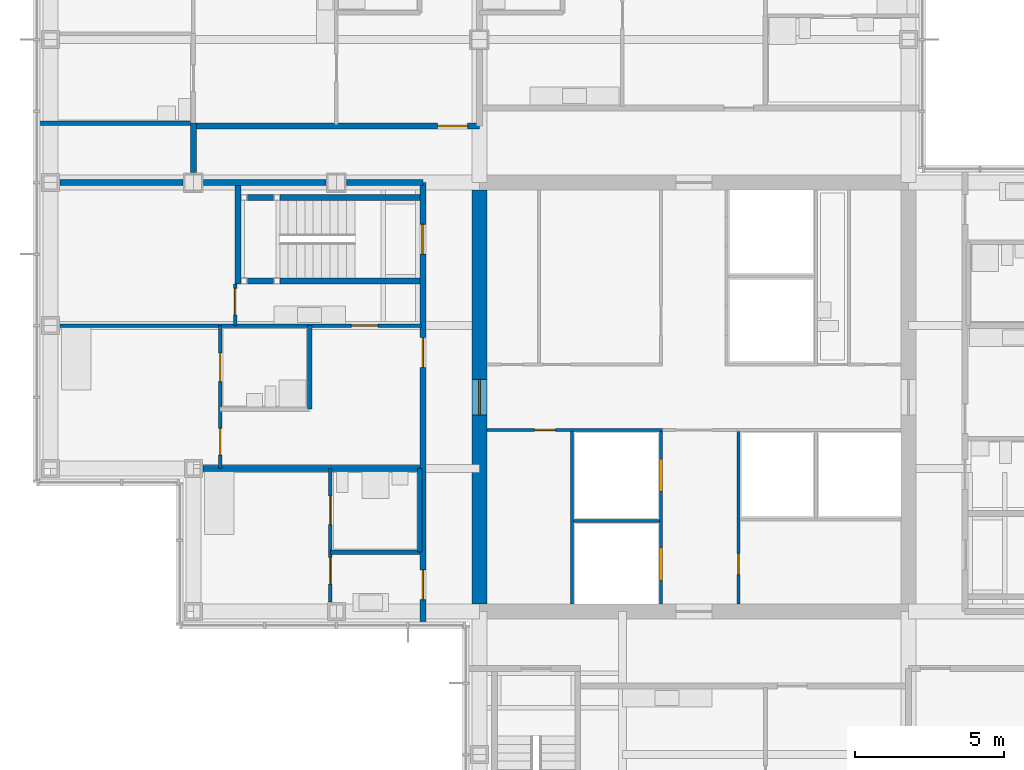
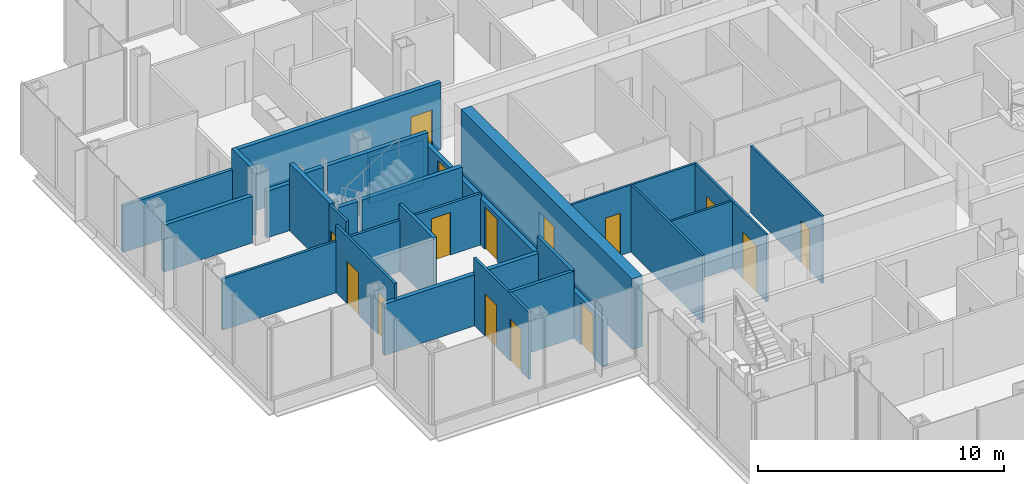
# One storey, part 14 of 20: 27 walls, 15 doors, 15 openings.
"""IFC4 building model written with IfcOpenShell, lengths in metres."""

from ifc_helpers import new_model, si_unit, direction, frame, frame_2d, origin, place, context, subcontext, project, spatial, rectangle, extrude, material, layer, layer_set, type_object, element, fill, save


model = new_model("IFC4")

# Units and contexts
model_context = context("Model", 3, precision=1e-05, world=origin(), true_north=direction((0.0, 1.0)))
body_context = subcontext(model_context, "Body", "Model", "MODEL_VIEW")
ifc_project = project(units=[si_unit("LENGTHUNIT", "METRE"), si_unit("AREAUNIT", "SQUARE_METRE"), si_unit("VOLUMEUNIT", "CUBIC_METRE"), si_unit("PLANEANGLEUNIT", "RADIAN"), si_unit("MASSUNIT", "GRAM", prefix="KILO")], contexts=[model_context])

# Site, building, storey
site_placement = place(None, origin())
site = spatial("IfcSite", under=ifc_project, at=site_placement, CompositionType="ELEMENT")
building_placement = place(site_placement, origin())
building = spatial("IfcBuilding", under=site, at=building_placement, Name="Kvirike Care Tower", CompositionType="ELEMENT")
storey_placement = place(building_placement, frame((0.0, 0.0, 126.0)))
storey = spatial("IfcBuildingStorey", under=building, at=storey_placement, Name="L34", CompositionType="ELEMENT", Elevation=126.0)

# Walls
ifc_material_1 = material(Name="Moisture-resistant board partition", Category="gypsum")
ifc_layer_1 = layer(ifc_material_1, 0.14990234375)
ifc_layer_set_1 = layer_set([ifc_layer_1], Name="BATHROOM WALL 150")
wall_type_1 = type_object("IfcWallType", Name="BATHROOM WALL 150", PredefinedType="PARTITIONING", material=ifc_layer_set_1)
wall_1_placement = place(storey_placement, frame((8.699951171875, 38.39990234375, 0.0), z_axis=(0.0, 0.0, 1.0), x_axis=(0.0, -1.0, 0.0)))
element("IfcWall", 1, at=wall_1_placement, inside=storey, type_object=wall_type_1, Name="Bathroom Wall 150 L34", PredefinedType="PARTITIONING", context=body_context, shape_type="SweptSolid", body=[
    extrude(rectangle(XDim=2.7998046875, YDim=0.14990234375, at=frame_2d((1.39990234375, 0.0))), origin(), (0.0, 0.0, 1.0), 3.330078125),
])
wall_2_placement = place(storey_placement, frame((9.39990234375, 30.800048828125, 0.0), z_axis=(0.0, 0.0, 1.0), x_axis=(1.0, 0.0, 0.0)))
element("IfcWall", 2, at=wall_2_placement, inside=storey, type_object=wall_type_1, Name="Bathroom Wall 150 L34", PredefinedType="PARTITIONING", context=body_context, shape_type="SweptSolid", body=[
    extrude(rectangle(XDim=3.0, YDim=0.14990234375, at=frame_2d((1.5, 0.0))), origin(), (0.0, 0.0, 1.0), 3.330078125),
])
wall_3_placement = place(storey_placement, frame((12.39990234375, 33.60009765625, 0.0), z_axis=(0.0, 0.0, 1.0), x_axis=(0.0, -1.0, 0.0)))
element("IfcWall", 3, at=wall_3_placement, inside=storey, type_object=wall_type_1, Name="Bathroom Wall 150 L34", PredefinedType="PARTITIONING", context=body_context, shape_type="SweptSolid", body=[
    extrude(rectangle(XDim=2.800048828125, YDim=0.14990234375, at=frame_2d((1.39990234375, 0.0))), origin(), (0.0, 0.0, 1.0), 3.330078125),
])
wall_4_placement = place(storey_placement, frame((4.699951171875, 45.199951171875, 0.0), z_axis=(0.0, 0.0, 1.0), x_axis=(-1.0, 0.0, 0.0)))
element("IfcWall", 4, at=wall_4_placement, inside=storey, type_object=wall_type_1, Name="Bathroom Wall 150 L34", PredefinedType="PARTITIONING", context=body_context, shape_type="SweptSolid", body=[
    extrude(rectangle(XDim=5.139892578125, YDim=0.14990234375, at=frame_2d((2.56982421875, 0.0))), origin(), (0.0, 0.0, 1.0), 2.320068359375),
])

# Wall, opening, door
ifc_material_2 = material(Name="Concrete C50/60", Category="concrete")
ifc_layer_2 = layer(ifc_material_2, 0.5)
ifc_layer_set_2 = layer_set([ifc_layer_2], Name="CORE WALL 500 C50-60")
wall_type_2 = type_object("IfcWallType", Name="CORE WALL 500 C50-60", PredefinedType="SHEAR", material=ifc_layer_set_2)
wall_5_placement = place(storey_placement, frame((14.39990234375, 42.949951171875, -0.169921875), z_axis=(0.0, 0.0, 1.0), x_axis=(0.0, -1.0, 0.0)))
wall_5 = element("IfcWall", 5, at=wall_5_placement, inside=storey, type_object=wall_type_2, Name="Core wall W L34", PredefinedType="SHEAR", context=body_context, shape_type="SweptSolid", body=[
    extrude(rectangle(XDim=13.89990234375, YDim=0.5, at=frame_2d((6.949951171875, 0.0))), origin(), (0.0, 0.0, 1.0), 3.5),
])
opening_1_placement = place(wall_5_placement, frame((6.35009765625, 0.0, 0.169921875)))
opening_1 = element("IfcOpeningElement", 6, at=opening_1_placement, cuts=wall_5, Name="Opening 34-057", PredefinedType="OPENING", context=body_context, shape_type="SweptSolid", body=[
    extrude(rectangle(XDim=1.199951171875, YDim=2.10009765625, at=frame_2d((0.60009765625, 1.050048828125))), frame((0.0, 0.260498046875, 0.0), z_axis=(0.0, -1.0, 0.0), x_axis=(1.0, 0.0, 0.0)), (0.0, 0.0, 1.0), 0.52099609375),
])
ifc_material_3 = material(Name="Timber door set", Category="wood")
door_type_1 = type_object("IfcDoorType", Name="CORE DOOR 1200", OperationType="SINGLE_SWING_LEFT", PredefinedType="DOOR", material=ifc_material_3)
door_1_placement = place(opening_1_placement, origin())
door_1 = element("IfcDoor", 7, at=door_1_placement, inside=storey, type_object=door_type_1, Name="Core door W L34", OperationType="SINGLE_SWING_LEFT", OverallHeight=2.10009765625, OverallWidth=1.199951171875, PredefinedType="DOOR", context=body_context, shape_type="SweptSolid", body=[
    extrude(rectangle(XDim=1.199951171875, YDim=2.10009765625, at=frame_2d((0.60009765625, 1.050048828125))), frame((0.0, 0.02685546875, 0.0), z_axis=(0.0, -1.0, 0.0), x_axis=(1.0, 0.0, 0.0)), (0.0, 0.0, 1.0), 0.053955078125),
])
fill(opening_1, door_1)

# Wall, openings, doors
ifc_material_4 = material(Name="Plasterboard corridor wall", Category="gypsum")
ifc_layer_3 = layer(ifc_material_4, 0.199951171875)
ifc_layer_set_3 = layer_set([ifc_layer_3], Name="CORRIDOR WALL 200")
wall_type_3 = type_object("IfcWallType", Name="CORRIDOR WALL 200", PredefinedType="PARTITIONING", material=ifc_layer_set_3)
wall_6_placement = place(storey_placement, frame((12.5, 43.199951171875, 0.0), z_axis=(0.0, 0.0, 1.0), x_axis=(0.0, -1.0, 0.0)))
wall_6 = element("IfcWall", 8, at=wall_6_placement, inside=storey, type_object=wall_type_3, Name="Corridor Wall 200 L34", PredefinedType="PARTITIONING", context=body_context, shape_type="SweptSolid", body=[
    extrude(rectangle(XDim=14.83984375, YDim=0.199951171875, at=frame_2d((7.419921875, 0.0))), origin(), (0.0, 0.0, 1.0), 2.320068359375),
])
opening_2_placement = place(wall_6_placement, frame((1.39990234375, 0.0, 0.0)))
opening_2 = element("IfcOpeningElement", 9, at=opening_2_placement, cuts=wall_6, Name="Opening 34-007", PredefinedType="OPENING", context=body_context, shape_type="SweptSolid", body=[
    extrude(rectangle(XDim=1.0, YDim=2.10009765625, at=frame_2d((0.5, 1.050048828125))), frame((0.0, 0.110595703125, 0.0), z_axis=(0.0, -1.0, 0.0), x_axis=(1.0, 0.0, 0.0)), (0.0, 0.0, 1.0), 0.220947265625),
])
opening_3_placement = place(wall_6_placement, frame((5.199951171875, 0.0, 0.0)))
opening_3 = element("IfcOpeningElement", 10, at=opening_3_placement, cuts=wall_6, Name="Opening 34-008", PredefinedType="OPENING", context=body_context, shape_type="SweptSolid", body=[
    extrude(rectangle(XDim=1.0, YDim=2.10009765625, at=frame_2d((0.5, 1.050048828125))), frame((0.0, 0.110595703125, 0.0), z_axis=(0.0, -1.0, 0.0), x_axis=(1.0, 0.0, 0.0)), (0.0, 0.0, 1.0), 0.220947265625),
])
opening_4_placement = place(wall_6_placement, frame((13.0, 0.0, 0.0)))
opening_4 = element("IfcOpeningElement", 11, at=opening_4_placement, cuts=wall_6, Name="Opening 34-009", PredefinedType="OPENING", context=body_context, shape_type="SweptSolid", body=[
    extrude(rectangle(XDim=1.0, YDim=2.10009765625, at=frame_2d((0.5, 1.050048828125))), frame((0.0, 0.110595703125, 0.0), z_axis=(0.0, -1.0, 0.0), x_axis=(1.0, 0.0, 0.0)), (0.0, 0.0, 1.0), 0.220947265625),
])
ifc_material_5 = material(Name="Timber door set", Category="wood")
door_type_2 = type_object("IfcDoorType", Name="FLAT ENTRANCE DOOR 1000", OperationType="SINGLE_SWING_LEFT", PredefinedType="DOOR", material=ifc_material_5)
door_2_placement = place(opening_3_placement, frame((1.0, 0.0, 0.0), z_axis=(0.0, 0.0, 1.0), x_axis=(-1.0, 0.0, 0.0)))
door_2 = element("IfcDoor", 12, at=door_2_placement, inside=storey, type_object=door_type_2, Name="Assisted living suite entrance", OperationType="SINGLE_SWING_LEFT", OverallHeight=2.10009765625, OverallWidth=1.0, PredefinedType="DOOR", context=body_context, shape_type="SweptSolid", body=[
    extrude(rectangle(XDim=1.0, YDim=2.10009765625, at=frame_2d((0.5, 1.050048828125))), frame((0.0, 0.02685546875, 0.0), z_axis=(0.0, -1.0, 0.0), x_axis=(1.0, 0.0, 0.0)), (0.0, 0.0, 1.0), 0.053955078125),
])
fill(opening_3, door_2)
door_3_placement = place(opening_4_placement, frame((1.0, 0.0, 0.0), z_axis=(0.0, 0.0, 1.0), x_axis=(-1.0, 0.0, 0.0)))
door_3 = element("IfcDoor", 13, at=door_3_placement, inside=storey, type_object=door_type_2, Name="Assisted living suite entrance", OperationType="SINGLE_SWING_RIGHT", OverallHeight=2.10009765625, OverallWidth=1.0, PredefinedType="DOOR", context=body_context, shape_type="SweptSolid", body=[
    extrude(rectangle(XDim=1.0, YDim=2.10009765625, at=frame_2d((0.5, 1.050048828125))), frame((0.0, 0.02685546875, 0.0), z_axis=(0.0, -1.0, 0.0), x_axis=(1.0, 0.0, 0.0)), (0.0, 0.0, 1.0), 0.053955078125),
])
fill(opening_4, door_3)
ifc_material_6 = material(Name="Timber door set", Category="wood")
door_type_3 = type_object("IfcDoorType", Name="STAIR DOOR 1000", OperationType="SINGLE_SWING_LEFT", PredefinedType="DOOR", material=ifc_material_6)
door_4_placement = place(opening_2_placement, frame((1.0, 0.0, 0.0), z_axis=(0.0, 0.0, 1.0), x_axis=(-1.0, 0.0, 0.0)))
door_4 = element("IfcDoor", 14, at=door_4_placement, inside=storey, type_object=door_type_3, Name="Stair 1 door", OperationType="SINGLE_SWING_LEFT", OverallHeight=2.10009765625, OverallWidth=1.0, PredefinedType="DOOR", context=body_context, shape_type="SweptSolid", body=[
    extrude(rectangle(XDim=1.0, YDim=2.10009765625, at=frame_2d((0.5, 1.050048828125))), frame((0.0, 0.031982421875, 0.0), z_axis=(0.0, -1.0, 0.0), x_axis=(1.0, 0.0, 0.0)), (0.0, 0.0, 1.0), 0.06396484375),
])
fill(opening_2, door_4)

# Wall, opening, door
wall_7_placement = place(storey_placement, frame((14.39990234375, 45.10009765625, 0.0), z_axis=(0.0, 0.0, 1.0), x_axis=(-1.0, 0.0, 0.0)))
wall_7 = element("IfcWall", 15, at=wall_7_placement, inside=storey, type_object=wall_type_3, Name="Corridor Wall 200 L34", PredefinedType="PARTITIONING", context=body_context, shape_type="SweptSolid", body=[
    extrude(rectangle(XDim=9.599853515625, YDim=0.199951171875, at=frame_2d((4.7998046875, 0.0))), origin(), (0.0, 0.0, 1.0), 3.330078125),
])
opening_5_placement = place(wall_7_placement, frame((0.39990234375, 0.0, 0.0)))
opening_5 = element("IfcOpeningElement", 16, at=opening_5_placement, cuts=wall_7, Name="Opening 34-015", PredefinedType="OPENING", context=body_context, shape_type="SweptSolid", body=[
    extrude(rectangle(XDim=1.0, YDim=2.10009765625, at=frame_2d((0.5, 1.050048828125))), frame((0.0, 0.110595703125, 0.0), z_axis=(0.0, -1.0, 0.0), x_axis=(1.0, 0.0, 0.0)), (0.0, 0.0, 1.0), 0.220947265625),
])
door_5_placement = place(opening_5_placement, frame((1.0, 0.0, 0.0), z_axis=(0.0, 0.0, 1.0), x_axis=(-1.0, 0.0, 0.0)))
door_5 = element("IfcDoor", 17, at=door_5_placement, inside=storey, type_object=door_type_2, Name="Assisted living suite for couples entrance", OperationType="SINGLE_SWING_LEFT", OverallHeight=2.10009765625, OverallWidth=1.0, PredefinedType="DOOR", context=body_context, shape_type="SweptSolid", body=[
    extrude(rectangle(XDim=1.0, YDim=2.10009765625, at=frame_2d((0.5, 1.050048828125))), frame((0.0, 0.02685546875, 0.0), z_axis=(0.0, -1.0, 0.0), x_axis=(1.0, 0.0, 0.0)), (0.0, 0.0, 1.0), 0.053955078125),
])
fill(opening_5, door_5)

# Wall
wall_8_placement = place(storey_placement, frame((4.800048828125, 45.199951171875, 0.0), z_axis=(0.0, 0.0, 1.0), x_axis=(0.0, -1.0, 0.0)))
element("IfcWall", 18, at=wall_8_placement, inside=storey, type_object=wall_type_3, Name="Corridor Wall 200 L34", PredefinedType="PARTITIONING", context=body_context, shape_type="SweptSolid", body=[
    extrude(rectangle(XDim=1.655029296875, YDim=0.199951171875, at=frame_2d((0.82763671875, 0.0))), origin(), (0.0, 0.0, 1.0), 3.330078125),
])

# Wall, opening, door
ifc_material_7 = material(Name="Plasterboard partition", Category="gypsum")
ifc_layer_4 = layer(ifc_material_7, 0.1201171875)
ifc_layer_set_4 = layer_set([ifc_layer_4], Name="PARTITION 120")
wall_type_4 = type_object("IfcWallType", Name="PARTITION 120", PredefinedType="PARTITIONING", material=ifc_layer_set_4)
wall_9_placement = place(storey_placement, frame((6.199951171875, 38.39990234375, 0.0), z_axis=(0.0, 0.0, 1.0), x_axis=(1.0, 0.0, 0.0)))
wall_9 = element("IfcWall", 19, at=wall_9_placement, inside=storey, type_object=wall_type_4, Name="Partition 120 L34", PredefinedType="PARTITIONING", context=body_context, shape_type="SweptSolid", body=[
    extrude(rectangle(XDim=6.25, YDim=0.1201171875, at=frame_2d((3.125, 0.0))), origin(), (0.0, 0.0, 1.0), 2.550048828125),
])
opening_6_placement = place(wall_9_placement, frame((3.89990234375, 0.0, 0.0)))
opening_6 = element("IfcOpeningElement", 20, at=opening_6_placement, cuts=wall_9, Name="Opening 34-001", PredefinedType="OPENING", context=body_context, shape_type="SweptSolid", body=[
    extrude(rectangle(XDim=0.89990234375, YDim=2.10009765625, at=frame_2d((0.449951171875, 1.050048828125))), frame((0.0, 0.070556640625, 0.0), z_axis=(0.0, -1.0, 0.0), x_axis=(1.0, 0.0, 0.0)), (0.0, 0.0, 1.0), 0.14111328125),
])
ifc_material_8 = material(Name="Timber door set", Category="wood")
door_type_4 = type_object("IfcDoorType", Name="INTERNAL DOOR 900", OperationType="SINGLE_SWING_LEFT", PredefinedType="DOOR", material=ifc_material_8)
door_6_placement = place(opening_6_placement, origin())
door_6 = element("IfcDoor", 21, at=door_6_placement, inside=storey, type_object=door_type_4, Name="Hall door", OperationType="SINGLE_SWING_LEFT", OverallHeight=2.10009765625, OverallWidth=0.89990234375, PredefinedType="DOOR", context=body_context, shape_type="SweptSolid", body=[
    extrude(rectangle(XDim=0.89990234375, YDim=2.10009765625, at=frame_2d((0.449951171875, 1.050048828125))), frame((0.0, 0.02197265625, 0.0), z_axis=(0.0, -1.0, 0.0), x_axis=(1.0, 0.0, 0.0)), (0.0, 0.0, 1.0), 0.0439453125),
])
fill(opening_6, door_6)

wall_10_placement = place(storey_placement, frame((6.199951171875, 39.800048828125, 0.0), z_axis=(0.0, 0.0, 1.0), x_axis=(0.0, -1.0, 0.0)))
wall_10 = element("IfcWall", 22, at=wall_10_placement, inside=storey, type_object=wall_type_4, Name="Partition 120 L34", PredefinedType="PARTITIONING", context=body_context, shape_type="SweptSolid", body=[
    extrude(rectangle(XDim=1.400146484375, YDim=0.1201171875, at=frame_2d((0.7001953125, 0.0))), origin(), (0.0, 0.0, 1.0), 3.330078125),
])
opening_7_placement = place(wall_10_placement, frame((0.14990234375, 0.0, 0.0)))
opening_7 = element("IfcOpeningElement", 23, at=opening_7_placement, cuts=wall_10, Name="Opening 34-002", PredefinedType="OPENING", context=body_context, shape_type="SweptSolid", body=[
    extrude(rectangle(XDim=0.89990234375, YDim=2.10009765625, at=frame_2d((0.449951171875, 1.050048828125))), frame((0.0, 0.070556640625, 0.0), z_axis=(0.0, -1.0, 0.0), x_axis=(1.0, 0.0, 0.0)), (0.0, 0.0, 1.0), 0.14111328125),
])
door_7_placement = place(opening_7_placement, origin())
door_7 = element("IfcDoor", 24, at=door_7_placement, inside=storey, type_object=door_type_4, Name="Suite sitting room door", OperationType="SINGLE_SWING_RIGHT", OverallHeight=2.10009765625, OverallWidth=0.89990234375, PredefinedType="DOOR", context=body_context, shape_type="SweptSolid", body=[
    extrude(rectangle(XDim=0.89990234375, YDim=2.10009765625, at=frame_2d((0.449951171875, 1.050048828125))), frame((0.0, 0.02197265625, 0.0), z_axis=(0.0, -1.0, 0.0), x_axis=(1.0, 0.0, 0.0)), (0.0, 0.0, 1.0), 0.0439453125),
])
fill(opening_7, door_7)

# Wall, openings, doors
wall_11_placement = place(storey_placement, frame((5.699951171875, 38.39990234375, 0.0), z_axis=(0.0, 0.0, 1.0), x_axis=(0.0, -1.0, 0.0)))
wall_11 = element("IfcWall", 25, at=wall_11_placement, inside=storey, type_object=wall_type_4, Name="Partition 120 L34", PredefinedType="PARTITIONING", context=body_context, shape_type="SweptSolid", body=[
    extrude(rectangle(XDim=4.7998046875, YDim=0.1201171875, at=frame_2d((2.39990234375, 0.0))), origin(), (0.0, 0.0, 1.0), 3.330078125),
])
opening_8_placement = place(wall_11_placement, frame((3.449951171875, 0.0, 0.0)))
opening_8 = element("IfcOpeningElement", 26, at=opening_8_placement, cuts=wall_11, Name="Opening 34-003", PredefinedType="OPENING", context=body_context, shape_type="SweptSolid", body=[
    extrude(rectangle(XDim=0.89990234375, YDim=2.10009765625, at=frame_2d((0.449951171875, 1.050048828125))), frame((0.0, 0.070556640625, 0.0), z_axis=(0.0, -1.0, 0.0), x_axis=(1.0, 0.0, 0.0)), (0.0, 0.0, 1.0), 0.14111328125),
])
opening_9_placement = place(wall_11_placement, frame((0.925048828125, 0.0, 0.0)))
opening_9 = element("IfcOpeningElement", 27, at=opening_9_placement, cuts=wall_11, Name="Opening 34-004", PredefinedType="OPENING", context=body_context, shape_type="SweptSolid", body=[
    extrude(rectangle(XDim=0.949951171875, YDim=2.10009765625, at=frame_2d((0.47509765625, 1.050048828125))), frame((0.0, 0.070556640625, 0.0), z_axis=(0.0, -1.0, 0.0), x_axis=(1.0, 0.0, 0.0)), (0.0, 0.0, 1.0), 0.14111328125),
])
ifc_material_9 = material(Name="Timber door set", Category="wood")
door_type_5 = type_object("IfcDoorType", Name="EN-SUITE SLIDING DOOR 950", OperationType="SLIDING_TO_LEFT", PredefinedType="DOOR", material=ifc_material_9)
door_8_placement = place(opening_9_placement, origin())
door_8 = element("IfcDoor", 28, at=door_8_placement, inside=storey, type_object=door_type_5, Name="En-suite door", OperationType="SLIDING_TO_LEFT", OverallHeight=2.10009765625, OverallWidth=0.949951171875, PredefinedType="DOOR", context=body_context, shape_type="SweptSolid", body=[
    extrude(rectangle(XDim=0.949951171875, YDim=2.10009765625, at=frame_2d((0.47509765625, 1.050048828125))), frame((0.0, 0.02197265625, 0.0), z_axis=(0.0, -1.0, 0.0), x_axis=(1.0, 0.0, 0.0)), (0.0, 0.0, 1.0), 0.0439453125),
])
fill(opening_9, door_8)
door_9_placement = place(opening_8_placement, origin())
door_9 = element("IfcDoor", 29, at=door_9_placement, inside=storey, type_object=door_type_4, Name="Assisted living suite door", OperationType="SINGLE_SWING_LEFT", OverallHeight=2.10009765625, OverallWidth=0.89990234375, PredefinedType="DOOR", context=body_context, shape_type="SweptSolid", body=[
    extrude(rectangle(XDim=0.89990234375, YDim=2.10009765625, at=frame_2d((0.449951171875, 1.050048828125))), frame((0.0, 0.02197265625, 0.0), z_axis=(0.0, -1.0, 0.0), x_axis=(1.0, 0.0, 0.0)), (0.0, 0.0, 1.0), 0.0439453125),
])
fill(opening_8, door_9)

# Wall
wall_12_placement = place(storey_placement, frame((0.320068359375, 38.39990234375, 0.0), z_axis=(0.0, 0.0, 1.0), x_axis=(1.0, 0.0, 0.0)))
element("IfcWall", 30, at=wall_12_placement, inside=storey, type_object=wall_type_4, Name="Partition 120 L34", PredefinedType="PARTITIONING", context=body_context, shape_type="SweptSolid", body=[
    extrude(rectangle(XDim=5.8798828125, YDim=0.1201171875, at=frame_2d((2.93994140625, 0.0))), origin(), (0.0, 0.0, 1.0), 2.550048828125),
])

# Wall, openings, doors
wall_13_placement = place(storey_placement, frame((9.39990234375, 33.60009765625, 0.0), z_axis=(0.0, 0.0, 1.0), x_axis=(0.0, -1.0, 0.0)))
wall_13 = element("IfcWall", 31, at=wall_13_placement, inside=storey, type_object=wall_type_4, Name="Partition 120 L34", PredefinedType="PARTITIONING", context=body_context, shape_type="SweptSolid", body=[
    extrude(rectangle(XDim=4.47998046875, YDim=0.1201171875, at=frame_2d((2.239990234375, 0.0))), origin(), (0.0, 0.0, 1.0), 3.330078125),
])
opening_10_placement = place(wall_13_placement, frame((2.97509765625, 0.0, 0.0)))
opening_10 = element("IfcOpeningElement", 32, at=opening_10_placement, cuts=wall_13, Name="Opening 34-005", PredefinedType="OPENING", context=body_context, shape_type="SweptSolid", body=[
    extrude(rectangle(XDim=0.89990234375, YDim=2.10009765625, at=frame_2d((0.449951171875, 1.050048828125))), frame((0.0, 0.070556640625, 0.0), z_axis=(0.0, -1.0, 0.0), x_axis=(1.0, 0.0, 0.0)), (0.0, 0.0, 1.0), 0.14111328125),
])
opening_11_placement = place(wall_13_placement, frame((0.925048828125, 0.0, 0.0)))
opening_11 = element("IfcOpeningElement", 33, at=opening_11_placement, cuts=wall_13, Name="Opening 34-006", PredefinedType="OPENING", context=body_context, shape_type="SweptSolid", body=[
    extrude(rectangle(XDim=0.949951171875, YDim=2.10009765625, at=frame_2d((0.47509765625, 1.050048828125))), frame((0.0, 0.070556640625, 0.0), z_axis=(0.0, -1.0, 0.0), x_axis=(1.0, 0.0, 0.0)), (0.0, 0.0, 1.0), 0.14111328125),
])
door_10_placement = place(opening_11_placement, origin())
door_10 = element("IfcDoor", 34, at=door_10_placement, inside=storey, type_object=door_type_5, Name="En-suite door", OperationType="SLIDING_TO_RIGHT", OverallHeight=2.10009765625, OverallWidth=0.949951171875, PredefinedType="DOOR", context=body_context, shape_type="SweptSolid", body=[
    extrude(rectangle(XDim=0.949951171875, YDim=2.10009765625, at=frame_2d((0.47509765625, 1.050048828125))), frame((0.0, 0.02197265625, 0.0), z_axis=(0.0, -1.0, 0.0), x_axis=(1.0, 0.0, 0.0)), (0.0, 0.0, 1.0), 0.0439453125),
])
fill(opening_11, door_10)
door_11_placement = place(opening_10_placement, origin())
door_11 = element("IfcDoor", 35, at=door_11_placement, inside=storey, type_object=door_type_4, Name="Assisted living suite door", OperationType="SINGLE_SWING_RIGHT", OverallHeight=2.10009765625, OverallWidth=0.89990234375, PredefinedType="DOOR", context=body_context, shape_type="SweptSolid", body=[
    extrude(rectangle(XDim=0.89990234375, YDim=2.10009765625, at=frame_2d((0.449951171875, 1.050048828125))), frame((0.0, 0.02197265625, 0.0), z_axis=(0.0, -1.0, 0.0), x_axis=(1.0, 0.0, 0.0)), (0.0, 0.0, 1.0), 0.0439453125),
])
fill(opening_10, door_11)

# Walls
ifc_material_10 = material(Name="Plasterboard party wall", Category="gypsum")
ifc_layer_5 = layer(ifc_material_10, 0.199951171875)
ifc_layer_set_5 = layer_set([ifc_layer_5], Name="PARTY WALL 200")
wall_type_5 = type_object("IfcWallType", Name="PARTY WALL 200", PredefinedType="PARTITIONING", material=ifc_layer_set_5)
wall_14_placement = place(storey_placement, frame((5.1201171875, 33.60009765625, 0.0), z_axis=(0.0, 0.0, 1.0), x_axis=(1.0, 0.0, 0.0)))
element("IfcWall", 36, at=wall_14_placement, inside=storey, type_object=wall_type_5, Name="Party Wall 200 L34", PredefinedType="PARTITIONING", context=body_context, shape_type="SweptSolid", body=[
    extrude(rectangle(XDim=7.27978515625, YDim=0.199951171875, at=frame_2d((3.639892578125, 0.0))), origin(), (0.0, 0.0, 1.0), 2.550048828125),
])
wall_15_placement = place(storey_placement, frame((12.5, 43.199951171875, 0.0), z_axis=(0.0, 0.0, 1.0), x_axis=(-1.0, 0.0, 0.0)))
element("IfcWall", 37, at=wall_15_placement, inside=storey, type_object=wall_type_5, Name="Party Wall 200 L34", PredefinedType="PARTITIONING", context=body_context, shape_type="SweptSolid", body=[
    extrude(rectangle(XDim=2.554931640625, YDim=0.199951171875, at=frame_2d((1.27734375, 0.0))), origin(), (0.0, 0.0, 1.0), 2.320068359375),
])
wall_16_placement = place(storey_placement, frame((9.2548828125, 43.199951171875, 0.0), z_axis=(0.0, 0.0, 1.0), x_axis=(-1.0, 0.0, 0.0)))
element("IfcWall", 38, at=wall_16_placement, inside=storey, type_object=wall_type_5, Name="Party Wall 200 L34", PredefinedType="PARTITIONING", context=body_context, shape_type="SweptSolid", body=[
    extrude(rectangle(XDim=4.10986328125, YDim=0.199951171875, at=frame_2d((2.054931640625, 0.0))), origin(), (0.0, 0.0, 1.0), 2.320068359375),
])
wall_17_placement = place(storey_placement, frame((4.455078125, 43.199951171875, 0.0), z_axis=(0.0, 0.0, 1.0), x_axis=(-1.0, 0.0, 0.0)))
element("IfcWall", 39, at=wall_17_placement, inside=storey, type_object=wall_type_5, Name="Party Wall 200 L34", PredefinedType="PARTITIONING", context=body_context, shape_type="SweptSolid", body=[
    extrude(rectangle(XDim=4.135009765625, YDim=0.199951171875, at=frame_2d((2.0673828125, 0.0))), origin(), (0.0, 0.0, 1.0), 2.320068359375),
])

# Wall, openings, doors
ifc_material_11 = material(Name="Gypsum shaft wall system", Category="gypsum")
ifc_layer_6 = layer(ifc_material_11, 0.10009765625)
ifc_layer_set_6 = layer_set([ifc_layer_6], Name="SHAFT WALL 100")
wall_type_6 = type_object("IfcWallType", Name="SHAFT WALL 100", PredefinedType="SOLIDWALL", material=ifc_layer_set_6)
wall_18_placement = place(storey_placement, frame((20.5, 29.050048828125, 0.0), z_axis=(0.0, 0.0, 1.0), x_axis=(0.0, 1.0, 0.0)))
wall_18 = element("IfcWall", 40, at=wall_18_placement, inside=storey, type_object=wall_type_6, Name="Shaft Wall 100 L34", PredefinedType="SOLIDWALL", context=body_context, shape_type="SweptSolid", body=[
    extrude(rectangle(XDim=5.800048828125, YDim=0.10009765625, at=frame_2d((2.89990234375, 0.0))), origin(), (0.0, 0.0, 1.0), 3.330078125),
])
opening_12_placement = place(wall_18_placement, frame((0.800048828125, 0.0, 0.0)))
opening_12 = element("IfcOpeningElement", 41, at=opening_12_placement, cuts=wall_18, Name="Opening 34-044", PredefinedType="OPENING", context=body_context, shape_type="SweptSolid", body=[
    extrude(rectangle(XDim=1.10009765625, YDim=2.300048828125, at=frame_2d((0.550048828125, 1.14990234375))), frame((0.0, 0.060546875, 0.0), z_axis=(0.0, -1.0, 0.0), x_axis=(1.0, 0.0, 0.0)), (0.0, 0.0, 1.0), 0.12109375),
])
opening_13_placement = place(wall_18_placement, frame((3.77490234375, 0.0, 0.0)))
opening_13 = element("IfcOpeningElement", 42, at=opening_13_placement, cuts=wall_18, Name="Opening 34-045", PredefinedType="OPENING", context=body_context, shape_type="SweptSolid", body=[
    extrude(rectangle(XDim=1.10009765625, YDim=2.300048828125, at=frame_2d((0.550048828125, 1.14990234375))), frame((0.0, 0.060546875, 0.0), z_axis=(0.0, -1.0, 0.0), x_axis=(1.0, 0.0, 0.0)), (0.0, 0.0, 1.0), 0.12109375),
])
ifc_material_12 = material(Name="Aluminium door frame", Category="aluminium")
door_type_6 = type_object("IfcDoorType", Name="FIRE-FIGHTING LIFT LANDING DOOR 1100", OperationType="SLIDING_TO_LEFT", PredefinedType="DOOR", material=ifc_material_12)
door_12_placement = place(opening_12_placement, origin())
door_12 = element("IfcDoor", 43, at=door_12_placement, inside=storey, type_object=door_type_6, Name="Lift FF1 landing door", OperationType="SLIDING_TO_LEFT", OverallHeight=2.300048828125, OverallWidth=1.10009765625, PredefinedType="DOOR", context=body_context, shape_type="SweptSolid", body=[
    extrude(rectangle(XDim=1.10009765625, YDim=2.300048828125, at=frame_2d((0.550048828125, 1.14990234375))), frame((0.0, 0.0498046875, 0.0), z_axis=(0.0, -1.0, 0.0), x_axis=(1.0, 0.0, 0.0)), (0.0, 0.0, 1.0), 0.099609375),
])
fill(opening_12, door_12)
door_13_placement = place(opening_13_placement, origin())
door_13 = element("IfcDoor", 44, at=door_13_placement, inside=storey, type_object=door_type_6, Name="Lift FF2 landing door", OperationType="SLIDING_TO_LEFT", OverallHeight=2.300048828125, OverallWidth=1.10009765625, PredefinedType="DOOR", context=body_context, shape_type="SweptSolid", body=[
    extrude(rectangle(XDim=1.10009765625, YDim=2.300048828125, at=frame_2d((0.550048828125, 1.14990234375))), frame((0.0, 0.0498046875, 0.0), z_axis=(0.0, -1.0, 0.0), x_axis=(1.0, 0.0, 0.0)), (0.0, 0.0, 1.0), 0.099609375),
])
fill(opening_13, door_13)

# Wall, opening, door
wall_19_placement = place(storey_placement, frame((23.10009765625, 29.050048828125, 0.0), z_axis=(0.0, 0.0, 1.0), x_axis=(0.0, 1.0, 0.0)))
wall_19 = element("IfcWall", 45, at=wall_19_placement, inside=storey, type_object=wall_type_6, Name="Shaft Wall 100 L34", PredefinedType="SOLIDWALL", context=body_context, shape_type="SweptSolid", body=[
    extrude(rectangle(XDim=5.800048828125, YDim=0.10009765625, at=frame_2d((2.89990234375, 0.0))), origin(), (0.0, 0.0, 1.0), 3.330078125),
])
opening_14_placement = place(wall_19_placement, frame((1.0, 0.0, 0.0)))
opening_14 = element("IfcOpeningElement", 46, at=opening_14_placement, cuts=wall_19, Name="Opening 34-049", PredefinedType="OPENING", context=body_context, shape_type="SweptSolid", body=[
    extrude(rectangle(XDim=0.699951171875, YDim=2.10009765625, at=frame_2d((0.35009765625, 1.050048828125))), frame((0.0, 0.060546875, 0.0), z_axis=(0.0, -1.0, 0.0), x_axis=(1.0, 0.0, 0.0)), (0.0, 0.0, 1.0), 0.12109375),
])
ifc_material_13 = material(Name="Timber door set", Category="wood")
door_type_7 = type_object("IfcDoorType", Name="RISER DOOR 700", OperationType="SINGLE_SWING_LEFT", PredefinedType="DOOR", material=ifc_material_13)
door_14_placement = place(opening_14_placement, origin())
door_14 = element("IfcDoor", 47, at=door_14_placement, inside=storey, type_object=door_type_7, Name="Riser door", OperationType="SINGLE_SWING_RIGHT", OverallHeight=2.10009765625, OverallWidth=0.699951171875, PredefinedType="DOOR", context=body_context, shape_type="SweptSolid", body=[
    extrude(rectangle(XDim=0.699951171875, YDim=2.10009765625, at=frame_2d((0.35009765625, 1.050048828125))), frame((0.0, 0.02685546875, 0.0), z_axis=(0.0, -1.0, 0.0), x_axis=(1.0, 0.0, 0.0)), (0.0, 0.0, 1.0), 0.053955078125),
])
fill(opening_14, door_14)

wall_20_placement = place(storey_placement, frame((14.64990234375, 34.89990234375, 0.0), z_axis=(0.0, 0.0, 1.0), x_axis=(1.0, 0.0, 0.0)))
wall_20 = element("IfcWall", 48, at=wall_20_placement, inside=storey, type_object=wall_type_6, Name="Shaft Wall 100 L34", PredefinedType="SOLIDWALL", context=body_context, shape_type="SweptSolid", body=[
    extrude(rectangle(XDim=5.900146484375, YDim=0.10009765625, at=frame_2d((2.9501953125, 0.0))), origin(), (0.0, 0.0, 1.0), 3.330078125),
])
opening_15_placement = place(wall_20_placement, frame((1.60009765625, 0.0, 0.0)))
opening_15 = element("IfcOpeningElement", 49, at=opening_15_placement, cuts=wall_20, Name="Opening 34-050", PredefinedType="OPENING", context=body_context, shape_type="SweptSolid", body=[
    extrude(rectangle(XDim=0.699951171875, YDim=2.10009765625, at=frame_2d((0.35009765625, 1.050048828125))), frame((0.0, 0.060546875, 0.0), z_axis=(0.0, -1.0, 0.0), x_axis=(1.0, 0.0, 0.0)), (0.0, 0.0, 1.0), 0.12109375),
])
door_15_placement = place(opening_15_placement, frame((0.699951171875, 0.0, 0.0), z_axis=(0.0, 0.0, 1.0), x_axis=(-1.0, 0.0, 0.0)))
door_15 = element("IfcDoor", 50, at=door_15_placement, inside=storey, type_object=door_type_7, Name="Riser door", OperationType="SINGLE_SWING_RIGHT", OverallHeight=2.10009765625, OverallWidth=0.699951171875, PredefinedType="DOOR", context=body_context, shape_type="SweptSolid", body=[
    extrude(rectangle(XDim=0.699951171875, YDim=2.10009765625, at=frame_2d((0.35009765625, 1.050048828125))), frame((0.0, 0.02685546875, 0.0), z_axis=(0.0, -1.0, 0.0), x_axis=(1.0, 0.0, 0.0)), (0.0, 0.0, 1.0), 0.053955078125),
])
fill(opening_15, door_15)

# Walls
wall_21_placement = place(storey_placement, frame((17.5, 29.050048828125, 0.0), z_axis=(0.0, 0.0, 1.0), x_axis=(0.0, 1.0, 0.0)))
element("IfcWall", 51, at=wall_21_placement, inside=storey, type_object=wall_type_6, Name="Shaft Wall 100 L34", PredefinedType="SOLIDWALL", context=body_context, shape_type="SweptSolid", body=[
    extrude(rectangle(XDim=5.800048828125, YDim=0.10009765625, at=frame_2d((2.89990234375, 0.0))), origin(), (0.0, 0.0, 1.0), 3.330078125),
])
wall_22_placement = place(storey_placement, frame((17.550048828125, 31.85009765625, 0.0), z_axis=(0.0, 0.0, 1.0), x_axis=(1.0, 0.0, 0.0)))
element("IfcWall", 52, at=wall_22_placement, inside=storey, type_object=wall_type_6, Name="Shaft Wall 100 L34", PredefinedType="SOLIDWALL", context=body_context, shape_type="SweptSolid", body=[
    extrude(rectangle(XDim=2.89990234375, YDim=0.10009765625, at=frame_2d((1.449951171875, 0.0))), origin(), (0.0, 0.0, 1.0), 3.330078125),
])
ifc_material_14 = material(Name="Concrete C40/50", Category="concrete")
ifc_layer_7 = layer(ifc_material_14, 0.199951171875)
ifc_layer_set_7 = layer_set([ifc_layer_7], Name="STAIR WALL 200")
wall_type_7 = type_object("IfcWallType", Name="STAIR WALL 200", PredefinedType="SOLIDWALL", material=ifc_layer_set_7)
wall_23_placement = place(storey_placement, frame((6.60009765625, 42.699951171875, 0.0), z_axis=(0.0, 0.0, 1.0), x_axis=(1.0, 0.0, 0.0)))
element("IfcWall", 53, at=wall_23_placement, inside=storey, type_object=wall_type_7, Name="Stair Wall 200 L34", PredefinedType="SOLIDWALL", context=body_context, shape_type="SweptSolid", body=[
    extrude(rectangle(XDim=0.89990234375, YDim=0.199951171875, at=frame_2d((0.449951171875, 0.0))), origin(), (0.0, 0.0, 1.0), 2.989990234375),
])
wall_24_placement = place(storey_placement, frame((7.699951171875, 42.699951171875, 0.0), z_axis=(0.0, 0.0, 1.0), x_axis=(1.0, 0.0, 0.0)))
element("IfcWall", 54, at=wall_24_placement, inside=storey, type_object=wall_type_7, Name="Stair Wall 200 L34", PredefinedType="SOLIDWALL", context=body_context, shape_type="SweptSolid", body=[
    extrude(rectangle(XDim=4.699951171875, YDim=0.199951171875, at=frame_2d((2.35009765625, 0.0))), origin(), (0.0, 0.0, 1.0), 2.989990234375),
])
wall_25_placement = place(storey_placement, frame((6.60009765625, 39.89990234375, 0.0), z_axis=(0.0, 0.0, 1.0), x_axis=(1.0, 0.0, 0.0)))
element("IfcWall", 55, at=wall_25_placement, inside=storey, type_object=wall_type_7, Name="Stair Wall 200 L34", PredefinedType="SOLIDWALL", context=body_context, shape_type="SweptSolid", body=[
    extrude(rectangle(XDim=0.89990234375, YDim=0.199951171875, at=frame_2d((0.449951171875, 0.0))), origin(), (0.0, 0.0, 1.0), 2.989990234375),
])
wall_26_placement = place(storey_placement, frame((7.699951171875, 39.89990234375, 0.0), z_axis=(0.0, 0.0, 1.0), x_axis=(1.0, 0.0, 0.0)))
element("IfcWall", 56, at=wall_26_placement, inside=storey, type_object=wall_type_7, Name="Stair Wall 200 L34", PredefinedType="SOLIDWALL", context=body_context, shape_type="SweptSolid", body=[
    extrude(rectangle(XDim=4.699951171875, YDim=0.199951171875, at=frame_2d((2.35009765625, 0.0))), origin(), (0.0, 0.0, 1.0), 2.989990234375),
])
wall_27_placement = place(storey_placement, frame((6.300048828125, 43.10009765625, 0.0), z_axis=(0.0, 0.0, 1.0), x_axis=(0.0, -1.0, 0.0)))
element("IfcWall", 57, at=wall_27_placement, inside=storey, type_object=wall_type_7, Name="Stair Wall 200 L34", PredefinedType="SOLIDWALL", context=body_context, shape_type="SweptSolid", body=[
    extrude(rectangle(XDim=3.300048828125, YDim=0.199951171875, at=frame_2d((1.64990234375, 0.0))), origin(), (0.0, 0.0, 1.0), 3.330078125),
])

save(model, "model.ifc")
